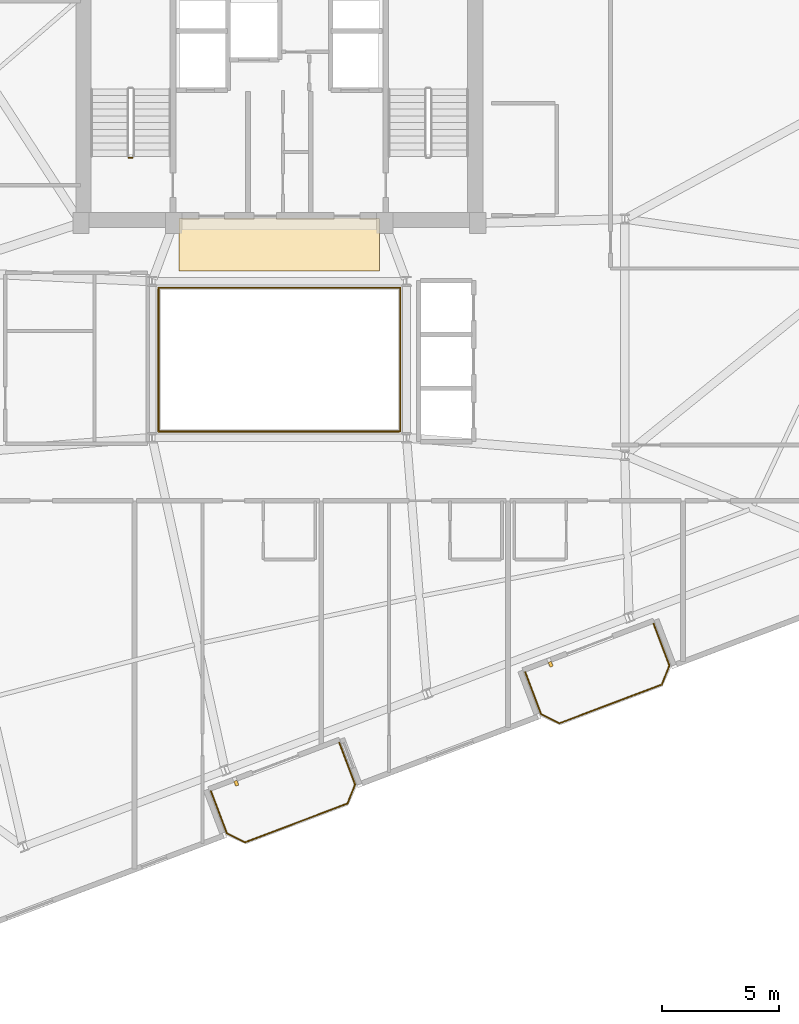
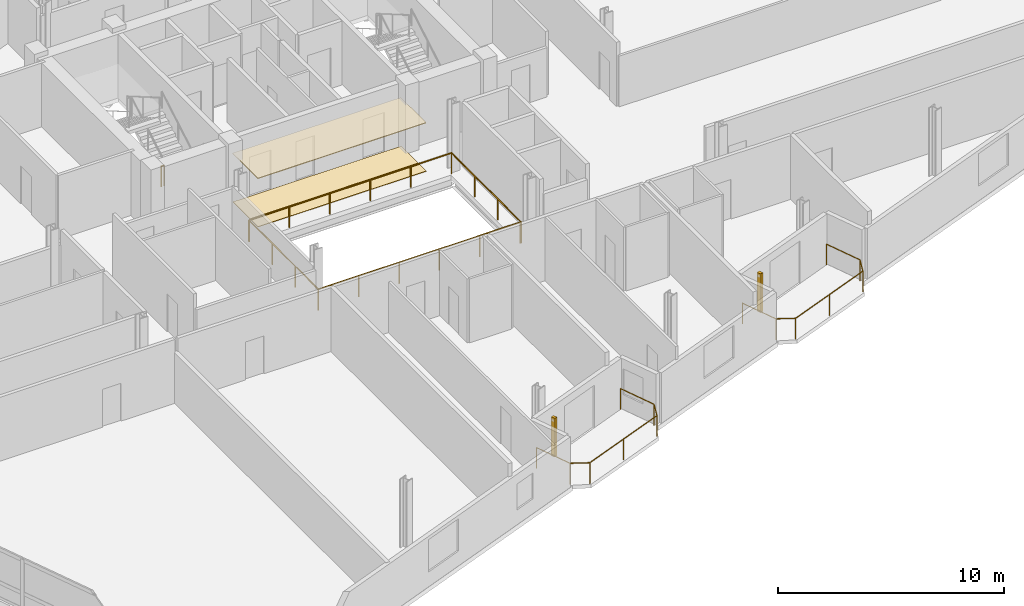
# One storey, part 23 of 24: 5 railings, 2 coverings, 2 shading devices.
"""IFC4 building model written with IfcOpenShell, lengths in metres."""

from ifc_helpers import new_model, si_unit, direction, frame, origin, origin_2d, place, context, subcontext, project, spatial, rectangle, circle, extrude, source, transform, mapped, material, layer, layer_set, type_object, element, save


model = new_model("IFC4")

# Units and contexts
model_context = context("Model", 3, precision=1e-05, world=origin(), true_north=direction((0.0, 1.0)))
body_context = subcontext(model_context, "Body", "Model", "MODEL_VIEW")
ifc_project = project(units=[si_unit("LENGTHUNIT", "METRE"), si_unit("AREAUNIT", "SQUARE_METRE"), si_unit("VOLUMEUNIT", "CUBIC_METRE"), si_unit("PLANEANGLEUNIT", "RADIAN"), si_unit("MASSUNIT", "GRAM", prefix="KILO")], contexts=[model_context])

# Site, building, storey
site_placement = place(None, origin())
site = spatial("IfcSite", under=ifc_project, at=site_placement, CompositionType="ELEMENT")
building_placement = place(site_placement, origin())
building = spatial("IfcBuilding", under=site, at=building_placement, Name="Varnelok Gate Tower", CompositionType="ELEMENT")
storey_placement = place(building_placement, frame((0.0, 0.0, 242.300048828125)))
storey = spatial("IfcBuildingStorey", under=building, at=storey_placement, Name="L62", CompositionType="ELEMENT", Elevation=242.300048828125)

# Railings
ifc_material_1 = material(Name="Tempered Laminated Balustrade Glass", Category="glass")
railing_type_1 = type_object("IfcRailingType", Name="RL-ATR-GUARD1150", PredefinedType="GUARDRAIL", material=ifc_material_1)
railing_1_placement = place(storey_placement, frame((34.02001953125, 25.929931640625, 0.0)))
element("IfcRailing", 1, at=railing_1_placement, inside=storey, type_object=railing_type_1, Name="L62 Internal Atrium South-West Guardrail", PredefinedType="GUARDRAIL", context=body_context, shape_type="SweptSolid", body=[
    extrude(circle(Radius=0.02392578125, at=origin_2d()), frame((0.0, 0.0, 1.1259765625), z_axis=(0.0, -1.0, 0.0), x_axis=(1.0, 0.0, 0.0)), (0.0, 0.0, 1.0), 6.10986328125),
    extrude(circle(Radius=0.02392578125, at=origin_2d()), frame((0.0, -6.10986328125, 1.1259765625), z_axis=(1.0, 0.0, 0.0), x_axis=(0.0, 1.0, 0.0)), (0.0, 0.0, 1.0), 10.31005859375),
    extrude(circle(Radius=0.02099609375, at=origin_2d()), origin(), (0.0, 0.0, 1.0), 1.101806640625),
    extrude(circle(Radius=0.02099609375, at=origin_2d()), frame((0.0, -2.03662109375, 0.0)), (0.0, 0.0, 1.0), 1.101806640625),
    extrude(circle(Radius=0.02099609375, at=origin_2d()), frame((0.0, -4.0732421875, 0.0)), (0.0, 0.0, 1.0), 1.101806640625),
    extrude(circle(Radius=0.02099609375, at=origin_2d()), frame((0.0, -6.10986328125, 0.0)), (0.0, 0.0, 1.0), 1.101806640625),
    extrude(circle(Radius=0.02099609375, at=origin_2d()), frame((2.06201171875, -6.10986328125, 0.0)), (0.0, 0.0, 1.0), 1.101806640625),
    extrude(circle(Radius=0.02099609375, at=origin_2d()), frame((4.1240234375, -6.10986328125, 0.0)), (0.0, 0.0, 1.0), 1.101806640625),
    extrude(circle(Radius=0.02099609375, at=origin_2d()), frame((6.18603515625, -6.10986328125, 0.0)), (0.0, 0.0, 1.0), 1.101806640625),
    extrude(circle(Radius=0.02099609375, at=origin_2d()), frame((8.248046875, -6.10986328125, 0.0)), (0.0, 0.0, 1.0), 1.101806640625),
    extrude(circle(Radius=0.02099609375, at=origin_2d()), frame((10.31005859375, -6.10986328125, 0.0)), (0.0, 0.0, 1.0), 1.101806640625),
])
railing_2_placement = place(storey_placement, frame((44.3798828125, 19.820068359375, 0.0)))
element("IfcRailing", 2, at=railing_2_placement, inside=storey, type_object=railing_type_1, Name="L62 Internal Atrium North-East Guardrail", PredefinedType="GUARDRAIL", context=body_context, shape_type="SweptSolid", body=[
    extrude(circle(Radius=0.02392578125, at=origin_2d()), frame((0.0, 0.0, 1.1259765625), z_axis=(0.0, 1.0, 0.0), x_axis=(-1.0, 0.0, 0.0)), (0.0, 0.0, 1.0), 6.159912109375),
    extrude(circle(Radius=0.02392578125, at=origin_2d()), frame((0.0, 6.159912109375, 1.1259765625), z_axis=(-1.0, 0.0, 0.0), x_axis=(0.0, -1.0, 0.0)), (0.0, 0.0, 1.0), 10.35986328125),
    extrude(circle(Radius=0.02099609375, at=origin_2d()), origin(), (0.0, 0.0, 1.0), 1.101806640625),
    extrude(circle(Radius=0.02099609375, at=origin_2d()), frame((0.0, 2.05322265625, 0.0)), (0.0, 0.0, 1.0), 1.101806640625),
    extrude(circle(Radius=0.02099609375, at=origin_2d()), frame((0.0, 4.106689453125, 0.0)), (0.0, 0.0, 1.0), 1.101806640625),
    extrude(circle(Radius=0.02099609375, at=origin_2d()), frame((0.0, 6.159912109375, 0.0)), (0.0, 0.0, 1.0), 1.101806640625),
    extrude(circle(Radius=0.02099609375, at=origin_2d()), frame((-2.072021484375, 6.159912109375, 0.0)), (0.0, 0.0, 1.0), 1.101806640625),
    extrude(circle(Radius=0.02099609375, at=origin_2d()), frame((-4.14404296875, 6.159912109375, 0.0)), (0.0, 0.0, 1.0), 1.101806640625),
    extrude(circle(Radius=0.02099609375, at=origin_2d()), frame((-6.2158203125, 6.159912109375, 0.0)), (0.0, 0.0, 1.0), 1.101806640625),
    extrude(circle(Radius=0.02099609375, at=origin_2d()), frame((-8.287841796875, 6.159912109375, 0.0)), (0.0, 0.0, 1.0), 1.101806640625),
    extrude(circle(Radius=0.02099609375, at=origin_2d()), frame((-10.35986328125, 6.159912109375, 0.0)), (0.0, 0.0, 1.0), 1.101806640625),
])
ifc_material_2 = material(Name="Low-E Laminated Double Glazing IGU", Category="glass")
railing_type_2 = type_object("IfcRailingType", Name="RL-BALC-1150", PredefinedType="BALUSTRADE", material=ifc_material_2)
railing_3_placement = place(storey_placement, frame((36.26708984375, 4.408203125, 0.0)))
element("IfcRailing", 3, at=railing_3_placement, inside=storey, type_object=railing_type_2, Name="L62 South Terrace Balustrade 1", PredefinedType="BALUSTRADE", context=body_context, shape_type="SweptSolid", body=[
    extrude(circle(Radius=0.02392578125, at=origin_2d()), frame((0.0, 0.0, 1.1259765625), z_axis=(0.354006333352, -0.935243025073, 0.0), x_axis=(0.935243025073, 0.354006333352, 0.0)), (0.0, 0.0, 1.0), 1.919921875),
    extrude(circle(Radius=0.02392578125, at=origin_2d()), frame((0.6796875, -1.795654296875, 1.1259765625), z_axis=(0.89078254773, -0.454429810487, 0.0), x_axis=(0.454429810487, 0.89078254773, 0.0)), (0.0, 0.0, 1.0), 0.8779296875),
    extrude(circle(Radius=0.02392578125, at=origin_2d()), frame((1.461669921875, -2.194580078125, 1.1259765625), z_axis=(0.935223045203, 0.354059113314, 0.0), x_axis=(-0.354059113314, 0.935223045203, 0.0)), (0.0, 0.0, 1.0), 4.699951171875),
    extrude(circle(Radius=0.02392578125, at=origin_2d()), frame((5.857177734375, -0.530517578125, 1.1259765625), z_axis=(0.366254584666, 0.930514685113, 0.0), x_axis=(-0.930514685113, 0.366254584666, 0.0)), (0.0, 0.0, 1.0), 0.8779296875),
    extrude(circle(Radius=0.02392578125, at=origin_2d()), frame((6.1787109375, 0.286376953125, 1.1259765625), z_axis=(-0.354048437536, 0.935227086797, 0.0), x_axis=(-0.935227086797, -0.354048437536, 0.0)), (0.0, 0.0, 1.0), 1.919677734375),
    extrude(circle(Radius=0.02099609375, at=origin_2d()), origin(), (0.0, 0.0, 1.0), 1.101806640625),
    extrude(circle(Radius=0.02099609375, at=origin_2d()), frame((0.6796875, -1.795654296875, 0.0)), (0.0, 0.0, 1.0), 1.101806640625),
    extrude(circle(Radius=0.02099609375, at=origin_2d()), frame((1.461669921875, -2.194580078125, 0.0)), (0.0, 0.0, 1.0), 1.101806640625),
    extrude(circle(Radius=0.02099609375, at=origin_2d()), frame((3.659423828125, -1.362548828125, 0.0)), (0.0, 0.0, 1.0), 1.101806640625),
    extrude(circle(Radius=0.02099609375, at=origin_2d()), frame((5.857177734375, -0.530517578125, 0.0)), (0.0, 0.0, 1.0), 1.101806640625),
    extrude(circle(Radius=0.02099609375, at=origin_2d()), frame((6.1787109375, 0.286376953125, 0.0)), (0.0, 0.0, 1.0), 1.101806640625),
    extrude(circle(Radius=0.02099609375, at=origin_2d()), frame((5.4990234375, 2.081787109375, 0.0)), (0.0, 0.0, 1.0), 1.101806640625),
])
railing_4_placement = place(storey_placement, frame((49.734130859375, 9.506591796875, 0.0)))
element("IfcRailing", 4, at=railing_4_placement, inside=storey, type_object=railing_type_2, Name="L62 South Terrace Balustrade 2", PredefinedType="BALUSTRADE", context=body_context, shape_type="SweptSolid", body=[
    extrude(circle(Radius=0.02392578125, at=origin_2d()), frame((0.0, 0.0, 1.1259765625), z_axis=(0.354159661475, -0.935184973245, 0.0), x_axis=(0.935184973245, 0.354159661475, 0.0)), (0.0, 0.0, 1.0), 1.919921875),
    extrude(circle(Radius=0.02392578125, at=origin_2d()), frame((0.679931640625, -1.79541015625, 1.1259765625), z_axis=(0.890612455555, -0.454763074589, 0.0), x_axis=(0.454763074589, 0.890612455555, 0.0)), (0.0, 0.0, 1.0), 0.877685546875),
    extrude(circle(Radius=0.02392578125, at=origin_2d()), frame((1.461669921875, -2.194580078125, 1.1259765625), z_axis=(0.935212356898, 0.354087344458, 0.0), x_axis=(-0.354087344458, 0.935212356898, 0.0)), (0.0, 0.0, 1.0), 4.7001953125),
    extrude(circle(Radius=0.02392578125, at=origin_2d()), frame((5.857421875, -0.5302734375, 1.1259765625), z_axis=(0.366349384437, 0.930477365938, 0.0), x_axis=(-0.930477365938, 0.366349384437, 0.0)), (0.0, 0.0, 1.0), 0.877685546875),
    extrude(circle(Radius=0.02392578125, at=origin_2d()), frame((6.178955078125, 0.286376953125, 1.1259765625), z_axis=(-0.354006333352, 0.935243025073, 0.0), x_axis=(-0.935243025073, -0.354006333352, 0.0)), (0.0, 0.0, 1.0), 1.919921875),
    extrude(circle(Radius=0.02099609375, at=origin_2d()), origin(), (0.0, 0.0, 1.0), 1.101806640625),
    extrude(circle(Radius=0.02099609375, at=origin_2d()), frame((0.679931640625, -1.79541015625, 0.0)), (0.0, 0.0, 1.0), 1.101806640625),
    extrude(circle(Radius=0.02099609375, at=origin_2d()), frame((1.461669921875, -2.194580078125, 0.0)), (0.0, 0.0, 1.0), 1.101806640625),
    extrude(circle(Radius=0.02099609375, at=origin_2d()), frame((3.65966796875, -1.3623046875, 0.0)), (0.0, 0.0, 1.0), 1.101806640625),
    extrude(circle(Radius=0.02099609375, at=origin_2d()), frame((5.857421875, -0.5302734375, 0.0)), (0.0, 0.0, 1.0), 1.101806640625),
    extrude(circle(Radius=0.02099609375, at=origin_2d()), frame((6.178955078125, 0.286376953125, 0.0)), (0.0, 0.0, 1.0), 1.101806640625),
    extrude(circle(Radius=0.02099609375, at=origin_2d()), frame((5.499267578125, 2.08203125, 0.0)), (0.0, 0.0, 1.0), 1.101806640625),
])
ifc_material_3 = material(Name="Galvanized Steel Grade S350GD", Category="steel")
railing_type_3 = type_object("IfcRailingType", Name="RL-STAIR-GUARD1120", PredefinedType="GUARDRAIL", material=ifc_material_3)
railing_5_placement = place(storey_placement, frame((32.89990234375, 31.550048828125, 0.0)))
element("IfcRailing", 5, at=railing_5_placement, inside=storey, type_object=railing_type_3, Name="L62 ST-1 stair guard 4", PredefinedType="GUARDRAIL", context=body_context, shape_type="SweptSolid", body=[
    extrude(circle(Radius=0.02392578125, at=origin_2d()), frame((0.0, 0.0, 1.09619140625), z_axis=(-1.0, 0.0, 0.0), x_axis=(0.0, -1.0, 0.0)), (0.0, 0.0, 1.0), 0.14990234375),
    extrude(circle(Radius=0.02099609375, at=origin_2d()), origin(), (0.0, 0.0, 1.0), 1.072021484375),
    extrude(circle(Radius=0.02099609375, at=origin_2d()), frame((-0.14990234375, 0.0, 0.0)), (0.0, 0.0, 1.0), 1.072021484375),
])

# Shading devices
ifc_material_4 = material(Name="Glazed Architectural Terracotta Ceramic", Category="masonry")
shading_device_type = type_object("IfcShadingDeviceType", Name="SHD-TERRA-BAGUETTE", PredefinedType="USERDEFINED", material=ifc_material_4)
shared_shape_1 = source(origin(), body_context, "Body", "SweptSolid", [
    extrude(rectangle(XDim=0.139892578125, YDim=0.219970703125, at=origin_2d()), origin(), (0.0, 0.0, 1.0), 2.10009765625),
])
for number, where, z_axis, x_axis, name in (
    (6, (37.35791015625, 4.746337890625, 0.099853515625), (0.0, 0.0, 1.0), (0.935221751401, 0.354062530786, 0.0), "L62 Terracotta Ceramic Baguette Sunscreen 1.1"),
    (7, (50.8251953125, 9.844970703125, 0.099853515625), (0.0, 0.0, 1.0), (0.935221751401, 0.354062530786, 0.0), "L62 Terracotta Ceramic Baguette Sunscreen 2.1"),
):
    element("IfcShadingDevice", number, at=place(storey_placement, frame(where, z_axis=z_axis, x_axis=x_axis)), inside=storey, type_object=shading_device_type, Name=name, ObjectType="BAGUETTE", PredefinedType="USERDEFINED", context=body_context, shape_type="MappedRepresentation", body=[
        mapped(shared_shape_1, transform((0.0, 0.0, 0.0), scale=1.0)),
    ])

# Coverings
ifc_material_5 = material(Name="Honed Travertine Stone Flooring", Category="masonry")
ifc_layer_1 = layer(ifc_material_5, 0.02490234375)
ifc_layer_set_1 = layer_set([ifc_layer_1], Name="Honed Travertine Stone Flooring")
covering_type_1 = type_object("IfcCoveringType", Name="COV-FLOR-STONE", PredefinedType="FLOORING", material=ifc_layer_set_1)
shared_shape_2 = source(origin(), body_context, "Body", "SweptSolid", [
    extrude(rectangle(XDim=8.60009765625, YDim=2.219970703125, at=origin_2d()), origin(), (0.0, 0.0, 1.0), 0.02490234375),
])
covering_1_placement = place(storey_placement, frame((39.199951171875, 27.800048828125, 0.0), z_axis=(0.0, 0.0, 1.0), x_axis=(1.0, 0.0, 0.0)))
element("IfcCovering", 8, at=covering_1_placement, inside=storey, type_object=covering_type_1, Name="L62 Core Gallery Stone Flooring", PredefinedType="FLOORING", context=body_context, shape_type="MappedRepresentation", body=[
    mapped(shared_shape_2, transform((0.0, 0.0, 0.0), scale=1.0)),
])
ifc_material_6 = material(Name="Mineral Fiber Acoustic Ceiling Tile")
ifc_layer_2 = layer(ifc_material_6, 0.0400390625)
ifc_layer_set_2 = layer_set([ifc_layer_2], Name="Mineral Fiber Acoustic Ceiling Tile")
covering_type_2 = type_object("IfcCoveringType", Name="COV-CEIL-ACOUST", PredefinedType="CEILING", material=ifc_layer_set_2)
shared_shape_3 = source(origin(), body_context, "Body", "SweptSolid", [
    extrude(rectangle(XDim=8.60009765625, YDim=2.239990234375, at=origin_2d()), origin(), (0.0, 0.0, 1.0), 0.0400390625),
])
covering_2_placement = place(storey_placement, frame((39.199951171875, 27.820068359375, 2.599853515625), z_axis=(0.0, 0.0, 1.0), x_axis=(1.0, 0.0, 0.0)))
element("IfcCovering", 9, at=covering_2_placement, inside=storey, type_object=covering_type_2, Name="L62 Core Gallery Acoustic Ceiling", PredefinedType="CEILING", context=body_context, shape_type="MappedRepresentation", body=[
    mapped(shared_shape_3, transform((0.0, 0.0, 0.0), scale=1.0)),
])

save(model, "model.ifc")
